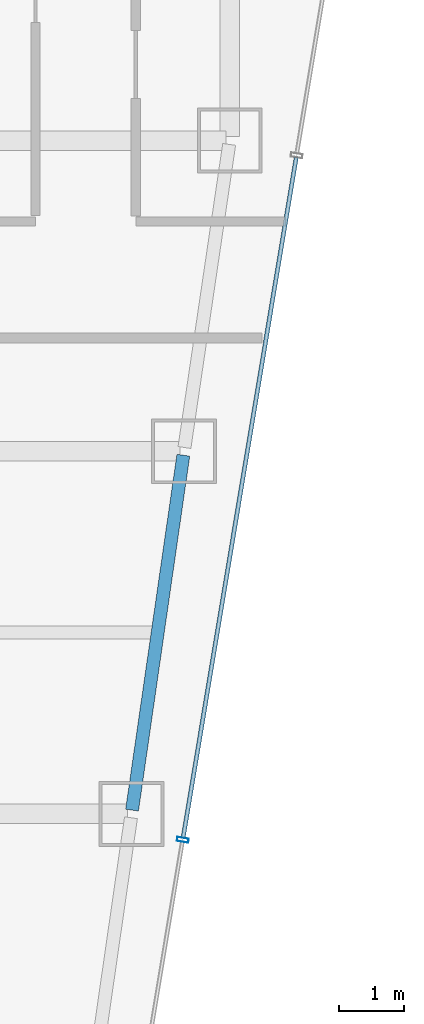
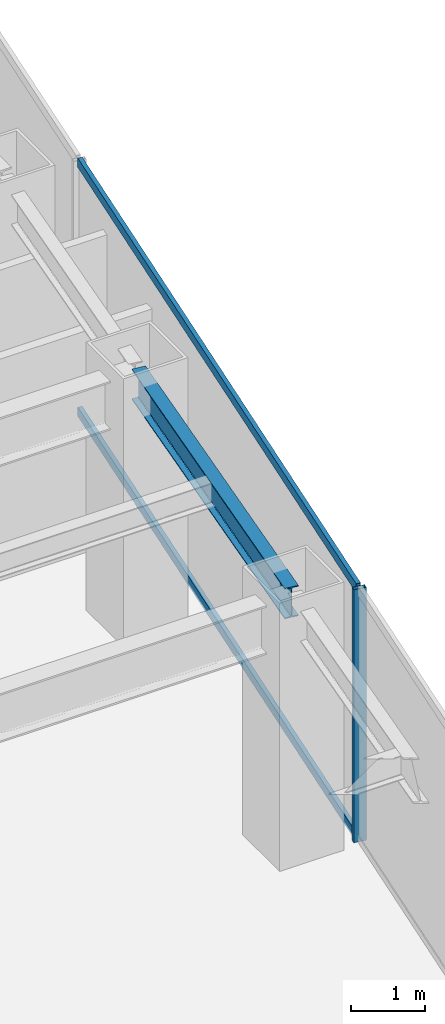
# One storey, part 19 of 37: 3 members, 1 beam, 1 element without a shape of its own.
"""IFC4 building model written with IfcOpenShell, lengths in metres."""

import ifcopenshell
import ifcopenshell.guid

model = None  # the IFC model being written
_history = None  # IfcOwnerHistory: only IFC2X3 demands one
_inside = {}  # id of a spatial element -> (the spatial element, [elements in it])
_under = {}  # id of a project, library or spatial element -> (it, [spatial elements below it])
_declared = {}  # id of a project -> (the project, [libraries it declares])
_typed = {}  # id of a type object -> (the type object, [elements of that type])
_made_of = {}  # id of a material, layer set ... -> (it, [elements and type objects made of it])


def new_model(schema):
    """Start an empty IFC model of exactly this schema.

    Asked for "IFC4X3", IfcOpenShell would pick the latest addendum, in which some entities
    have other attributes; the version numbers below select the first issue.
    IFC2X3 requires an IfcOwnerHistory on every rooted entity: one is made here for all.
    """
    global model, _history
    if schema == "IFC4X3":
        model = ifcopenshell.file(schema_version=(4, 3, 0, 0))
    else:
        model = ifcopenshell.file(schema=schema)
    _inside.clear()
    _under.clear()
    _declared.clear()
    _typed.clear()
    _made_of.clear()
    _history = None
    if model.schema == "IFC2X3":
        org = make("IfcOrganization", Name="unknown")
        user = make(
            "IfcPersonAndOrganization",
            ThePerson=make("IfcPerson", FamilyName="unknown"),
            TheOrganization=org,
        )
        app = make(
            "IfcApplication",
            ApplicationDeveloper=org,
            Version="unknown",
            ApplicationFullName="unknown",
            ApplicationIdentifier="unknown",
        )
        _history = make(
            "IfcOwnerHistory",
            OwningUser=user,
            OwningApplication=app,
            ChangeAction="ADDED",
            CreationDate=0,
        )
    return model


def make(cls, **values):
    """One entity of the class cls with the attributes given. An attribute that is None is left unset."""
    return model.create_entity(
        cls, **{name: value for name, value in values.items() if value is not None}
    )


def rooted(cls, **values):
    """An entity with a GlobalId (a new one), such as an element, a storey or a relation."""
    return make(cls, GlobalId=ifcopenshell.guid.new(), OwnerHistory=_history, **values)


def si_unit(unit_type, name, prefix=None):
    """IfcSIUnit, for example si_unit("LENGTHUNIT", "METRE", prefix="MILLI")."""
    return make("IfcSIUnit", UnitType=unit_type, Prefix=prefix, Name=name)


def assignment(units):
    """IfcUnitAssignment: the units of a project."""
    return None if units is None else make("IfcUnitAssignment", Units=units)


def point(xyz):
    """IfcCartesianPoint."""
    return None if xyz is None else make("IfcCartesianPoint", Coordinates=xyz)


def direction(xyz):
    """IfcDirection."""
    return None if xyz is None else make("IfcDirection", DirectionRatios=xyz)


def frame(location, z_axis=None, x_axis=None):
    """IfcAxis2Placement3D, a coordinate frame: its origin and axes. An axis left out is left unset."""
    return make(
        "IfcAxis2Placement3D",
        Location=point(location),
        Axis=direction(z_axis),
        RefDirection=direction(x_axis),
    )


def frame_2d(location, x_axis=None):
    """IfcAxis2Placement2D, a coordinate frame in the plane: its origin and x axis."""
    return make(
        "IfcAxis2Placement2D", Location=point(location), RefDirection=direction(x_axis)
    )


def origin():
    """The frame at (0, 0, 0) with its axes left unset."""
    return frame((0.0, 0.0, 0.0))


def origin_2d():
    """The frame at (0, 0) in the plane with its x axis left unset."""
    return frame_2d((0.0, 0.0))


def place(relative_to, where):
    """IfcLocalPlacement: puts the frame where relative to a parent placement (None: the world)."""
    return make(
        "IfcLocalPlacement", PlacementRelTo=relative_to, RelativePlacement=where
    )


def context(
    kind, dimensions, precision=None, world=None, true_north=None, identifier=None
):
    """IfcGeometricRepresentationContext, for example the 3D "Model" context."""
    return make(
        "IfcGeometricRepresentationContext",
        ContextIdentifier=identifier,
        ContextType=kind,
        CoordinateSpaceDimension=dimensions,
        Precision=precision,
        WorldCoordinateSystem=world,
        TrueNorth=true_north,
    )


def subcontext(parent, identifier, kind, view, scale=None):
    """IfcGeometricRepresentationSubContext, for example "Body" below "Model"."""
    return make(
        "IfcGeometricRepresentationSubContext",
        ContextIdentifier=identifier,
        ContextType=kind,
        ParentContext=parent,
        TargetScale=scale,
        TargetView=view,
    )


def project(units=None, contexts=None):
    """IfcProject with its units and contexts."""
    return rooted(
        "IfcProject",
        Name="project",
        RepresentationContexts=contexts,
        UnitsInContext=assignment(units),
    )


def spatial(cls, under=None, at=None, **own):
    """A site, building, storey or space (cls), placed at a placement, below another one or the project."""
    s = rooted(cls, ObjectPlacement=at, **own)
    if under is not None:
        _under.setdefault(under.id(), (under, []))[1].append(s)
    return s


def profile(cls, at=None, kind="AREA", **sizes):
    """A parametric profile (cls). Its sizes go by their IFC names, for example OverallWidth=200.0."""
    return make(cls, ProfileType=kind, Position=at, **sizes)


def hollow_rectangle(**sizes):
    """IfcRectangleHollowProfileDef."""
    return profile("IfcRectangleHollowProfileDef", **sizes)


def i_section(**sizes):
    """IfcIShapeProfileDef."""
    return profile("IfcIShapeProfileDef", **sizes)


def extrude(swept, where, along, depth):
    """IfcExtrudedAreaSolid: the profile swept, set in the frame where, extruded along a direction by depth."""
    return make(
        "IfcExtrudedAreaSolid",
        SweptArea=swept,
        Position=where,
        ExtrudedDirection=direction(along),
        Depth=depth,
    )


def shape(context_of_items, identifier, shape_type, items):
    """IfcShapeRepresentation: the items that make up one representation, for example the "Body"."""
    return make(
        "IfcShapeRepresentation",
        ContextOfItems=context_of_items,
        RepresentationIdentifier=identifier,
        RepresentationType=shape_type,
        Items=items,
    )


def material(Name=None, Category=None):
    """IfcMaterial."""
    return make("IfcMaterial", Name=Name, Category=Category)


def material_profile(
    of_material, cross_section, Name=None, Category=None, Priority=None
):
    """IfcMaterialProfile: a cross section and its material."""
    return make(
        "IfcMaterialProfile",
        Name=Name,
        Material=of_material,
        Profile=cross_section,
        Priority=Priority,
        Category=Category,
    )


def profile_set(profiles, Name=None, composite=None):
    """IfcMaterialProfileSet."""
    return make(
        "IfcMaterialProfileSet",
        Name=Name,
        MaterialProfiles=profiles,
        CompositeProfile=composite,
    )


def made_of(thing, what):
    """Note that an element or type object is made of a material, layer set ...; save() writes the relation."""
    if what is not None:
        _made_of.setdefault(what.id(), (what, []))[1].append(thing)
    return thing


def type_object(cls, material=None, **own):
    """A type object (cls), such as IfcWallType, which elements share."""
    return made_of(rooted(cls, **own), material)


def element(
    cls,
    number,
    at=None,
    inside=None,
    cuts=None,
    type_object=None,
    material=None,
    context=None,
    identifier="Body",
    shape_type=None,
    held_by="IfcProductDefinitionShape",
    body=None,
    shapes=None,
    **own,
):
    """One element of the class cls, such as IfcWall. Its Tag is "e" and its number.

    at: its placement. inside: the storey or other place that contains it. cuts: it is an
    opening in that element (IfcRelVoidsElement). A single representation is given by context,
    identifier, shape_type and body (its items); several are given by shapes. held_by: the class
    of the entity that holds the representations. save() writes the other relations.
    """
    e = rooted(cls, Tag="e%d" % number, ObjectPlacement=at, **own)
    if body is not None:
        shapes = [shape(context, identifier, shape_type, body)]
    if shapes is not None:
        e.Representation = make(held_by, Representations=shapes)
    if inside is not None:
        _inside.setdefault(inside.id(), (inside, []))[1].append(e)
    if cuts is not None:
        rooted(
            "IfcRelVoidsElement", RelatingBuildingElement=cuts, RelatedOpeningElement=e
        )
    if type_object is not None:
        _typed.setdefault(type_object.id(), (type_object, []))[1].append(e)
    return made_of(e, material)


def aggregate(whole, parts):
    """IfcRelAggregates: a whole, such as a stair, and the parts it consists of."""
    return rooted("IfcRelAggregates", RelatingObject=whole, RelatedObjects=parts)


def save(model, path):
    """Write the relations noted so far, then the file.

    IfcRelAggregates (storeys below a building ...), IfcRelContainedInSpatialStructure (elements
    in a storey), IfcRelDefinesByType, IfcRelAssociatesMaterial and IfcRelDeclares: one each for
    every whole, place, type object, material and project.
    """
    for whole, parts in _under.values():
        aggregate(whole, parts)
    for where, things in _inside.values():
        rooted(
            "IfcRelContainedInSpatialStructure",
            RelatedElements=things,
            RelatingStructure=where,
        )
    for kind, things in _typed.values():
        rooted("IfcRelDefinesByType", RelatedObjects=things, RelatingType=kind)
    for what, things in _made_of.values():
        rooted("IfcRelAssociatesMaterial", RelatedObjects=things, RelatingMaterial=what)
    for by, libraries in _declared.values():
        rooted("IfcRelDeclares", RelatingContext=by, RelatedDefinitions=libraries)
    model.write(path)


model = new_model("IFC4")

# Units and contexts
model_context = context("Model", 3, precision=1e-05, world=origin(), true_north=direction((0.0, 1.0)))
body_context = subcontext(model_context, "Body", "Model", "MODEL_VIEW")
ifc_project = project(units=[si_unit("LENGTHUNIT", "METRE"), si_unit("AREAUNIT", "SQUARE_METRE"), si_unit("VOLUMEUNIT", "CUBIC_METRE"), si_unit("PLANEANGLEUNIT", "RADIAN"), si_unit("MASSUNIT", "GRAM", prefix="KILO")], contexts=[model_context])

# Site, building, storey
site_placement = place(None, origin())
site = spatial("IfcSite", under=ifc_project, at=site_placement, CompositionType="ELEMENT")
building_placement = place(site_placement, origin())
building = spatial("IfcBuilding", under=site, at=building_placement, Name="Saevonmaru Cultural Tower", CompositionType="ELEMENT")
storey_placement = place(building_placement, frame((0.0, 0.0, 110.39990234375)))
storey = spatial("IfcBuildingStorey", under=building, at=storey_placement, Name="L23", CompositionType="ELEMENT", Elevation=110.39990234375)

# Beam
ifc_material_1 = material(Name="Steel SM355", Category="steel")
ifc_material_profile_1 = material_profile(ifc_material_1, i_section(OverallWidth=0.199951171875, OverallDepth=0.5, WebThickness=0.010009765625, FlangeThickness=0.01611328125, FilletRadius=0.02001953125, at=origin_2d()), Name="H-500x200x10x16")
ifc_profile_set_1 = profile_set([ifc_material_profile_1], Name="Steel SM355")
beam_type = type_object("IfcBeamType", Name="BM-SP-H500", PredefinedType="SPANDREL", material=ifc_profile_set_1)
beam_placement = place(storey_placement, frame((51.691650390625, 32.059326171875, 3.900146484375), z_axis=(0.142964121327, 0.989727871697, 0.0), x_axis=(-0.989727871697, 0.142964121327, 0.0)))
element("IfcBeam", 1, at=beam_placement, inside=storey, type_object=beam_type, Name="L23 East Splayed Spandrel 4", PredefinedType="SPANDREL", context=body_context, shape_type="SweptSolid", body=[
    extrude(i_section(OverallWidth=0.199951171875, OverallDepth=0.5, WebThickness=0.010009765625, FlangeThickness=0.01611328125, FilletRadius=0.02001953125, at=origin_2d()), origin(), (0.0, 0.0, 1.0), 5.5380859375),
])

# Curtain wall, members
ifc_material_2 = material(Name="Satin Bronze Anodised Aluminium", Category="aluminium")
curtain_wall_type = type_object("IfcCurtainWallType", Name="CW-TYP-A", PredefinedType="NOTDEFINED", material=ifc_material_2)
curtain_wall_placement = place(storey_placement, origin())
curtain_wall = element("IfcCurtainWall", 2, at=curtain_wall_placement, inside=storey, type_object=curtain_wall_type, Name="L23 Unitised Curtain Wall E8", PredefinedType="NOTDEFINED")
ifc_material_profile_2 = material_profile(ifc_material_2, hollow_rectangle(XDim=0.06494140625, YDim=0.179931640625, WallThickness=0.00390625, at=origin_2d()), Name="ALU-MULL-180x65x4")
ifc_profile_set_2 = profile_set([ifc_material_profile_2], Name="Satin Bronze Anodised Aluminium")
member_type_1 = type_object("IfcMemberType", Name="ML-CW-180x65", PredefinedType="MULLION", material=ifc_profile_set_2)
member_1_placement = place(storey_placement, frame((52.4755859375, 31.60009765625, 0.0), z_axis=(0.0, 0.0, 1.0), x_axis=(0.163998702345, 0.986460554523, 0.0)))
member_1 = element("IfcMember", 3, at=member_1_placement, type_object=member_type_1, Name="CW-TW-L23-E8 mullion 3", PredefinedType="MULLION", context=body_context, shape_type="SweptSolid", body=[
    extrude(hollow_rectangle(XDim=0.06494140625, YDim=0.179931640625, WallThickness=0.00390625, at=origin_2d()), origin(), (0.0, 0.0, 1.0), 4.150146484375),
])
ifc_material_profile_3 = material_profile(ifc_material_2, hollow_rectangle(XDim=0.06494140625, YDim=0.14990234375, WallThickness=0.00390625, at=origin_2d()), Name="ALU-TRAN-150x65x4")
ifc_profile_set_3 = profile_set([ifc_material_profile_3], Name="Satin Bronze Anodised Aluminium")
member_type_2 = type_object("IfcMemberType", Name="TR-CW-150x65", PredefinedType="USERDEFINED", material=ifc_profile_set_3)
member_2_placement = place(storey_placement, frame((52.48095703125, 31.632080078125, 0.03271484375), z_axis=(0.163990079074, 0.9864619881, 0.0), x_axis=(-0.9864619881, 0.163990079074, 0.0)))
member_2 = element("IfcMember", 4, at=member_2_placement, type_object=member_type_2, Name="CW-TW-L23-E8 transom 3.1", ObjectType="TRANSOM", PredefinedType="USERDEFINED", context=body_context, shape_type="SweptSolid", body=[
    extrude(hollow_rectangle(XDim=0.06494140625, YDim=0.14990234375, WallThickness=0.00390625, at=origin_2d()), origin(), (0.0, 0.0, 1.0), 10.650634765625),
])
member_3_placement = place(storey_placement, frame((52.48095703125, 31.632080078125, 4.11767578125), z_axis=(0.163990079074, 0.9864619881, 0.0), x_axis=(-0.9864619881, 0.163990079074, 0.0)))
member_3 = element("IfcMember", 5, at=member_3_placement, type_object=member_type_2, Name="CW-TW-L23-E8 transom 3.2", ObjectType="TRANSOM", PredefinedType="USERDEFINED", context=body_context, shape_type="SweptSolid", body=[
    extrude(hollow_rectangle(XDim=0.06494140625, YDim=0.14990234375, WallThickness=0.00390625, at=origin_2d()), origin(), (0.0, 0.0, 1.0), 10.650634765625),
])
aggregate(curtain_wall, [member_1, member_2, member_3])

save(model, "model.ifc")
